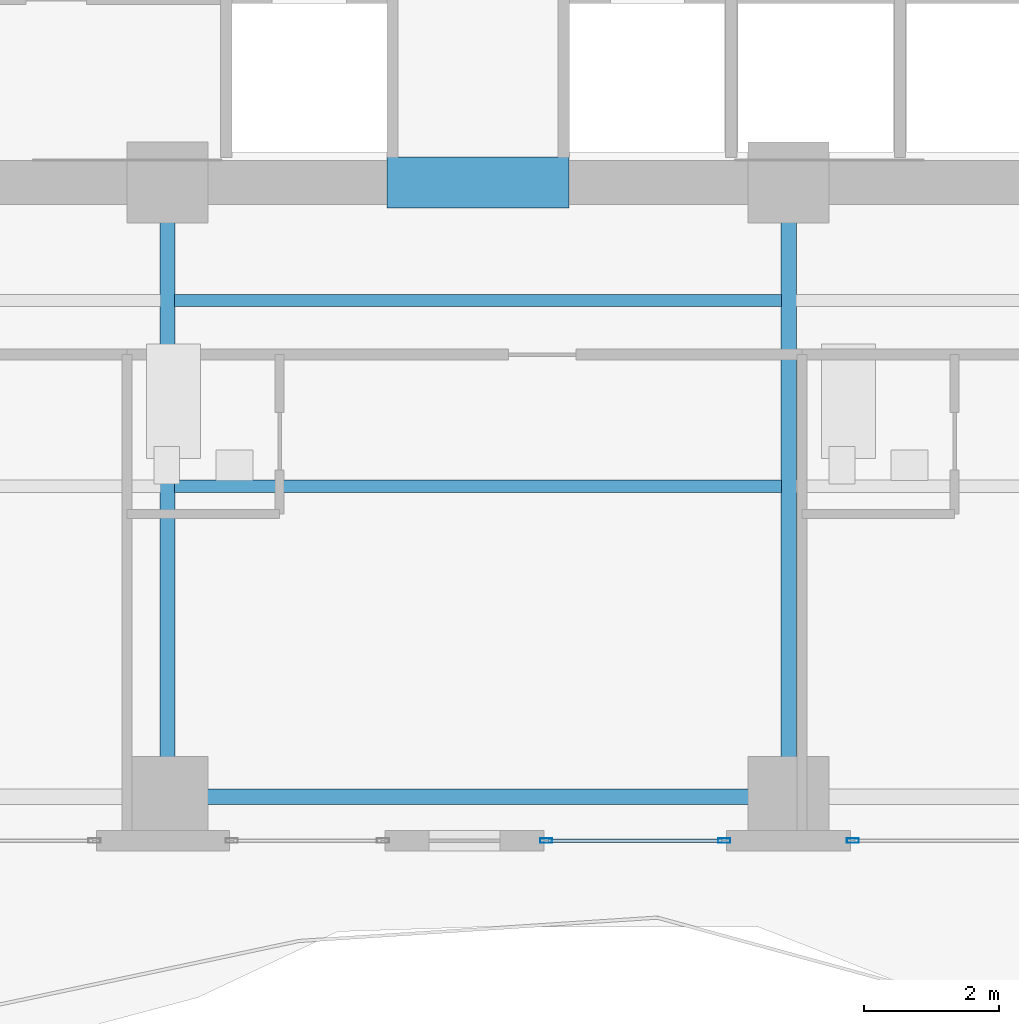
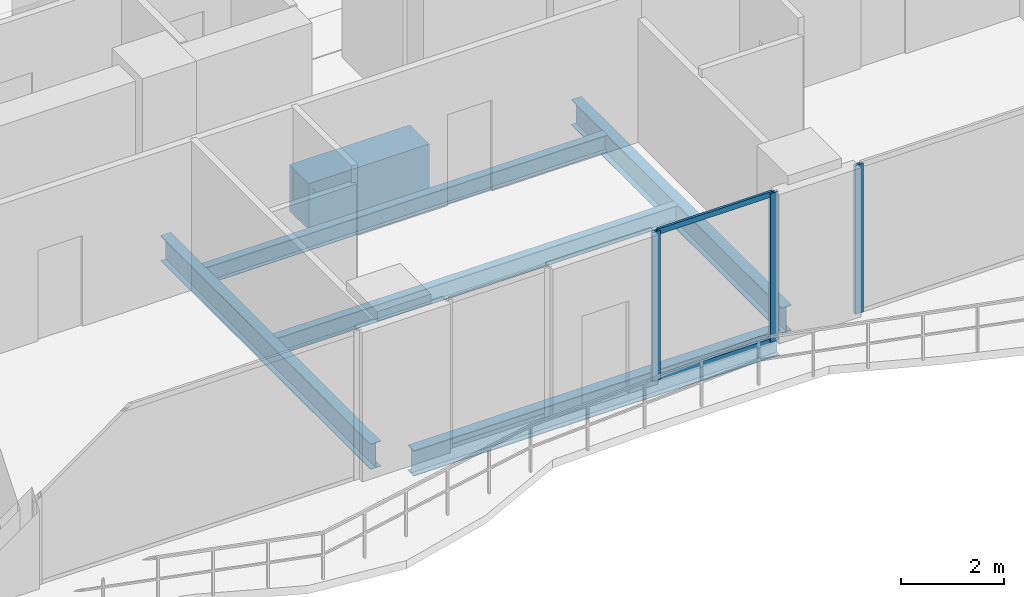
# One storey, part 6 of 32: 6 beams, 5 members, 2 elements without a shape of their own.
"""IFC4 building model written with IfcOpenShell, lengths in metres."""

from ifc_helpers import new_model, si_unit, direction, frame, origin, origin_2d, place, context, subcontext, project, spatial, rectangle, hollow_rectangle, i_section, extrude, material, layer, layer_set, material_profile, profile_set, type_object, element, aggregate, save


model = new_model("IFC4")

# Units and contexts
model_context = context("Model", 3, precision=1e-05, world=origin(), true_north=direction((0.0, 1.0)))
body_context = subcontext(model_context, "Body", "Model", "MODEL_VIEW")
ifc_project = project(units=[si_unit("LENGTHUNIT", "METRE"), si_unit("AREAUNIT", "SQUARE_METRE"), si_unit("VOLUMEUNIT", "CUBIC_METRE"), si_unit("PLANEANGLEUNIT", "RADIAN"), si_unit("MASSUNIT", "GRAM", prefix="KILO")], contexts=[model_context])

# Site, building, storey
site_placement = place(None, origin())
site = spatial("IfcSite", under=ifc_project, at=site_placement, CompositionType="ELEMENT")
building_placement = place(site_placement, origin())
building = spatial("IfcBuilding", under=site, at=building_placement, Name="Zuhayl Quay Hotel", CompositionType="ELEMENT")
storey_placement = place(building_placement, frame((0.0, 0.0, 181.14990234375)))
storey = spatial("IfcBuildingStorey", under=building, at=storey_placement, Name="L45", CompositionType="ELEMENT", Elevation=181.14990234375)

# Beams
ifc_material_1 = material(Name="Steel ASTM A992 Grade 50", Category="steel")
ifc_material_profile_1 = material_profile(ifc_material_1, i_section(OverallWidth=0.22802734375, OverallDepth=0.60693359375, WebThickness=0.01123046875, FlangeThickness=0.017333984375, at=origin_2d()), Name="W24X76")
ifc_profile_set_1 = profile_set([ifc_material_profile_1], Name="Steel ASTM A992 Grade 50")
beam_type_1 = type_object("IfcBeamType", Name="BM_B3_W24X76", PredefinedType="BEAM", material=ifc_profile_set_1)
beam_1_placement = place(storey_placement, frame((-4.10009765625, -6.949951171875, -0.5234375), z_axis=(1.0, 0.0, 0.0), x_axis=(0.0, 1.0, 0.0)))
element("IfcBeam", 1, at=beam_1_placement, inside=storey, type_object=beam_type_1, Name="L45 Floor Beam RG_L45_02", PredefinedType="BEAM", context=body_context, shape_type="SweptSolid", body=[
    extrude(i_section(OverallWidth=0.22802734375, OverallDepth=0.60693359375, WebThickness=0.01123046875, FlangeThickness=0.017333984375, at=origin_2d()), origin(), (0.0, 0.0, 1.0), 8.2001953125),
])
for number, where, z_axis, x_axis, name in (
    (2, (-4.60009765625, -6.449951171875, -0.5234375), (0.0, 1.0, 0.0), (-1.0, 0.0, 0.0), "L45 Floor Beam FG_S_L45_2"),
    (3, (4.60009765625, -6.449951171875, -0.5234375), (0.0, 1.0, 0.0), (-1.0, 0.0, 0.0), "L45 Floor Beam FG_S_L45_3"),
):
    element("IfcBeam", number, at=place(storey_placement, frame(where, z_axis=z_axis, x_axis=x_axis)), inside=storey, type_object=beam_type_1, Name=name, PredefinedType="BEAM", context=body_context, shape_type="SweptSolid", body=[
        extrude(i_section(OverallWidth=0.22802734375, OverallDepth=0.60693359375, WebThickness=0.01123046875, FlangeThickness=0.017333984375, at=origin_2d()), origin(), (0.0, 0.0, 1.0), 8.14990234375),
    ])
ifc_material_2 = material(Name="Concrete C60/75", Category="concrete")
ifc_material_profile_2 = material_profile(ifc_material_2, rectangle(XDim=0.75, YDim=1.10009765625, at=origin_2d()), Name="RC750X1100")
ifc_profile_set_2 = profile_set([ifc_material_profile_2], Name="Concrete C60/75")
beam_type_2 = type_object("IfcBeamType", Name="BM_CB2_RC750", PredefinedType="T_BEAM", material=ifc_profile_set_2)
beam_2_placement = place(storey_placement, frame((-1.35009765625, 2.14990234375, -0.77001953125), z_axis=(1.0, 0.0, 0.0), x_axis=(0.0, 1.0, 0.0)))
element("IfcBeam", 4, at=beam_2_placement, inside=storey, type_object=beam_type_2, Name="L45 Core Coupling Beam South", PredefinedType="T_BEAM", context=body_context, shape_type="SweptSolid", body=[
    extrude(rectangle(XDim=0.75, YDim=1.10009765625, at=origin_2d()), origin(), (0.0, 0.0, 1.0), 2.7001953125),
])
ifc_material_profile_3 = material_profile(ifc_material_1, i_section(OverallWidth=0.177978515625, OverallDepth=0.406005859375, WebThickness=0.0078125, FlangeThickness=0.0126953125, at=origin_2d()), Name="W16X40")
ifc_profile_set_3 = profile_set([ifc_material_profile_3], Name="Steel ASTM A992 Grade 50")
beam_type_3 = type_object("IfcBeamType", Name="BM_J2B_W16X40", PredefinedType="JOIST", material=ifc_profile_set_3)
for number, where, z_axis, x_axis, name in (
    (5, (-4.493896484375, -2.35009765625, -0.4228515625), (1.0, 0.0, 0.0), (0.0, 1.0, 0.0), "L45 Floor Beam FJ_L45_7_2"),
    (6, (-4.493896484375, 0.39990234375, -0.4228515625), (1.0, 0.0, 0.0), (0.0, 1.0, 0.0), "L45 Floor Beam FJ_L45_8_2"),
):
    element("IfcBeam", number, at=place(storey_placement, frame(where, z_axis=z_axis, x_axis=x_axis)), inside=storey, type_object=beam_type_3, Name=name, PredefinedType="JOIST", context=body_context, shape_type="SweptSolid", body=[
        extrude(i_section(OverallWidth=0.177978515625, OverallDepth=0.406005859375, WebThickness=0.0078125, FlangeThickness=0.0126953125, at=origin_2d()), origin(), (0.0, 0.0, 1.0), 8.98779296875),
    ])

# Curtain wall, member
ifc_material_3 = material(Name="Anodised Aluminium 6063-T6", Category="aluminium")
ifc_layer = layer(ifc_material_3, 0.175048828125, Name="Anodised Aluminium 6063-T6", Category="aluminium")
ifc_layer_set = layer_set([ifc_layer], Name="Anodised Aluminium 6063-T6")
curtain_wall_type = type_object("IfcCurtainWallType", Name="CW_SYS_Z3", PredefinedType="USERDEFINED", material=ifc_layer_set)
curtain_wall_1_placement = place(storey_placement, origin())
curtain_wall_1 = element("IfcCurtainWall", 7, at=curtain_wall_1_placement, inside=storey, type_object=curtain_wall_type, Name="L45 Curtain Wall ENV_L45_S_CW2", ObjectType="UNITISED CURTAIN WALL", PredefinedType="USERDEFINED")
ifc_material_4 = material(Name="Black-anodised aluminium 6063-T6", Category="aluminium")
ifc_material_profile_4 = material_profile(ifc_material_4, hollow_rectangle(XDim=0.06494140625, YDim=0.179931640625, WallThickness=0.00341796875, at=origin_2d()), Name="ALU180X65")
ifc_profile_set_4 = profile_set([ifc_material_profile_4], Name="Black-anodised aluminium 6063-T6")
member_type_1 = type_object("IfcMemberType", Name="MB_CW_MUL_180", PredefinedType="MULLION", material=ifc_profile_set_4)
member_1_placement = place(storey_placement, frame((5.552490234375, -7.60009765625, 0.0), z_axis=(0.0, 0.0, 1.0), x_axis=(0.0, -1.0, 0.0)))
member_1 = element("IfcMember", 8, at=member_1_placement, type_object=member_type_1, Name="CW-Z3 mullion 2", PredefinedType="MULLION", context=body_context, shape_type="SweptSolid", body=[
    extrude(hollow_rectangle(XDim=0.06494140625, YDim=0.179931640625, WallThickness=0.00341796875, at=origin_2d()), origin(), (0.0, 0.0, 1.0), 3.530029296875),
])
aggregate(curtain_wall_1, [member_1])

# Curtain wall, members
curtain_wall_2_placement = place(storey_placement, origin())
curtain_wall_2 = element("IfcCurtainWall", 9, at=curtain_wall_2_placement, inside=storey, type_object=curtain_wall_type, Name="L45 Curtain Wall ENV_L45_S_CW3", ObjectType="UNITISED CURTAIN WALL", PredefinedType="USERDEFINED")
member_2_placement = place(storey_placement, frame((3.6474609375, -7.60009765625, 0.0), z_axis=(0.0, 0.0, 1.0), x_axis=(0.0, -1.0, 0.0)))
member_2 = element("IfcMember", 10, at=member_2_placement, type_object=member_type_1, Name="CW-Z3 mullion 1", PredefinedType="MULLION", context=body_context, shape_type="SweptSolid", body=[
    extrude(hollow_rectangle(XDim=0.06494140625, YDim=0.179931640625, WallThickness=0.00341796875, at=origin_2d()), origin(), (0.0, 0.0, 1.0), 3.530029296875),
])
member_3_placement = place(storey_placement, frame((1.007568359375, -7.60009765625, 0.0), z_axis=(0.0, 0.0, 1.0), x_axis=(0.0, -1.0, 0.0)))
member_3 = element("IfcMember", 11, at=member_3_placement, type_object=member_type_1, Name="CW-Z3 mullion 2", PredefinedType="MULLION", context=body_context, shape_type="SweptSolid", body=[
    extrude(hollow_rectangle(XDim=0.06494140625, YDim=0.179931640625, WallThickness=0.00341796875, at=origin_2d()), origin(), (0.0, 0.0, 1.0), 3.530029296875),
])
ifc_material_profile_5 = material_profile(ifc_material_4, hollow_rectangle(XDim=0.054931640625, YDim=0.1298828125, WallThickness=0.0029296875, at=origin_2d()), Name="ALU130X55")
ifc_profile_set_5 = profile_set([ifc_material_profile_5], Name="Black-anodised aluminium 6063-T6")
member_type_2 = type_object("IfcMemberType", Name="MB_CW_TRN_130", PredefinedType="USERDEFINED", material=ifc_profile_set_5)
member_4_placement = place(storey_placement, frame((3.614990234375, -7.60009765625, 0.027587890625), z_axis=(-1.0, 0.0, 0.0), x_axis=(0.0, -1.0, 0.0)))
member_4 = element("IfcMember", 12, at=member_4_placement, type_object=member_type_2, Name="CW-Z3 transom 1.1", ObjectType="TRANSOM", PredefinedType="USERDEFINED", context=body_context, shape_type="SweptSolid", body=[
    extrude(hollow_rectangle(XDim=0.054931640625, YDim=0.1298828125, WallThickness=0.0029296875, at=origin_2d()), origin(), (0.0, 0.0, 1.0), 2.574951171875),
])
member_5_placement = place(storey_placement, frame((3.614990234375, -7.60009765625, 3.502685546875), z_axis=(-1.0, 0.0, 0.0), x_axis=(0.0, -1.0, 0.0)))
member_5 = element("IfcMember", 13, at=member_5_placement, type_object=member_type_2, Name="CW-Z3 transom 1.2", ObjectType="TRANSOM", PredefinedType="USERDEFINED", context=body_context, shape_type="SweptSolid", body=[
    extrude(hollow_rectangle(XDim=0.054931640625, YDim=0.1298828125, WallThickness=0.0029296875, at=origin_2d()), origin(), (0.0, 0.0, 1.0), 2.574951171875),
])
aggregate(curtain_wall_2, [member_2, member_3, member_4, member_5])

save(model, "model.ifc")
